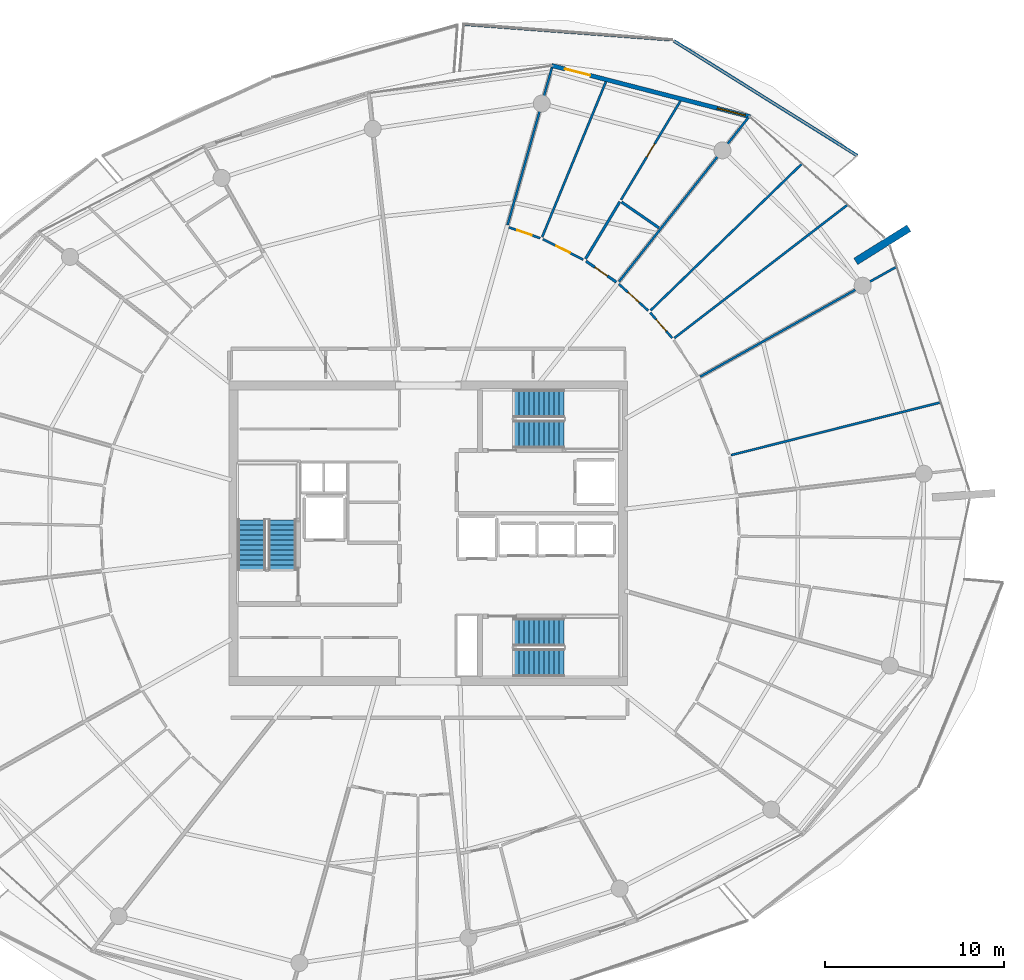
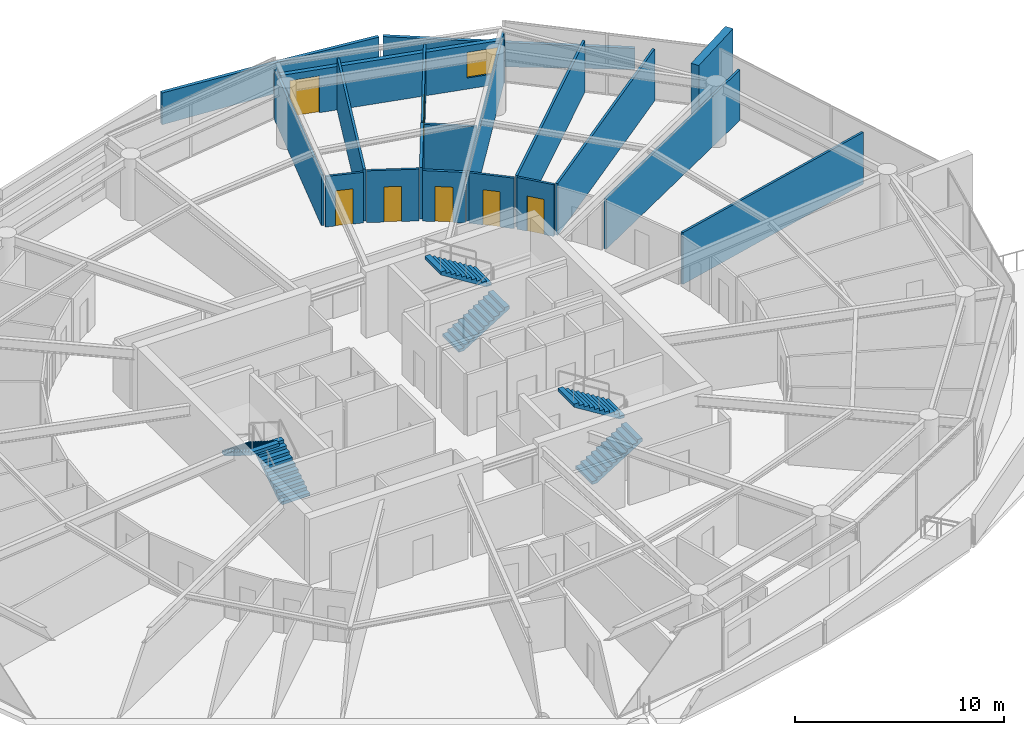
# One storey, part 22 of 29: 19 walls, 7 doors, 6 stair flights, 1 window, 8 openings, 3 elements without a shape of their own.
"""IFC4 building model written with IfcOpenShell, lengths in metres."""

import ifcopenshell
import ifcopenshell.guid

model = None  # the IFC model being written
_history = None  # IfcOwnerHistory: only IFC2X3 demands one
_inside = {}  # id of a spatial element -> (the spatial element, [elements in it])
_under = {}  # id of a project, library or spatial element -> (it, [spatial elements below it])
_declared = {}  # id of a project -> (the project, [libraries it declares])
_typed = {}  # id of a type object -> (the type object, [elements of that type])
_made_of = {}  # id of a material, layer set ... -> (it, [elements and type objects made of it])


def new_model(schema):
    """Start an empty IFC model of exactly this schema.

    Asked for "IFC4X3", IfcOpenShell would pick the latest addendum, in which some entities
    have other attributes; the version numbers below select the first issue.
    IFC2X3 requires an IfcOwnerHistory on every rooted entity: one is made here for all.
    """
    global model, _history
    if schema == "IFC4X3":
        model = ifcopenshell.file(schema_version=(4, 3, 0, 0))
    else:
        model = ifcopenshell.file(schema=schema)
    _inside.clear()
    _under.clear()
    _declared.clear()
    _typed.clear()
    _made_of.clear()
    _history = None
    if model.schema == "IFC2X3":
        org = make("IfcOrganization", Name="unknown")
        user = make(
            "IfcPersonAndOrganization",
            ThePerson=make("IfcPerson", FamilyName="unknown"),
            TheOrganization=org,
        )
        app = make(
            "IfcApplication",
            ApplicationDeveloper=org,
            Version="unknown",
            ApplicationFullName="unknown",
            ApplicationIdentifier="unknown",
        )
        _history = make(
            "IfcOwnerHistory",
            OwningUser=user,
            OwningApplication=app,
            ChangeAction="ADDED",
            CreationDate=0,
        )
    return model


def make(cls, **values):
    """One entity of the class cls with the attributes given. An attribute that is None is left unset."""
    return model.create_entity(
        cls, **{name: value for name, value in values.items() if value is not None}
    )


def rooted(cls, **values):
    """An entity with a GlobalId (a new one), such as an element, a storey or a relation."""
    return make(cls, GlobalId=ifcopenshell.guid.new(), OwnerHistory=_history, **values)


def si_unit(unit_type, name, prefix=None):
    """IfcSIUnit, for example si_unit("LENGTHUNIT", "METRE", prefix="MILLI")."""
    return make("IfcSIUnit", UnitType=unit_type, Prefix=prefix, Name=name)


def assignment(units):
    """IfcUnitAssignment: the units of a project."""
    return None if units is None else make("IfcUnitAssignment", Units=units)


def point(xyz):
    """IfcCartesianPoint."""
    return None if xyz is None else make("IfcCartesianPoint", Coordinates=xyz)


def direction(xyz):
    """IfcDirection."""
    return None if xyz is None else make("IfcDirection", DirectionRatios=xyz)


def frame(location, z_axis=None, x_axis=None):
    """IfcAxis2Placement3D, a coordinate frame: its origin and axes. An axis left out is left unset."""
    return make(
        "IfcAxis2Placement3D",
        Location=point(location),
        Axis=direction(z_axis),
        RefDirection=direction(x_axis),
    )


def frame_2d(location, x_axis=None):
    """IfcAxis2Placement2D, a coordinate frame in the plane: its origin and x axis."""
    return make(
        "IfcAxis2Placement2D", Location=point(location), RefDirection=direction(x_axis)
    )


def origin():
    """The frame at (0, 0, 0) with its axes left unset."""
    return frame((0.0, 0.0, 0.0))


def place(relative_to, where):
    """IfcLocalPlacement: puts the frame where relative to a parent placement (None: the world)."""
    return make(
        "IfcLocalPlacement", PlacementRelTo=relative_to, RelativePlacement=where
    )


def context(
    kind, dimensions, precision=None, world=None, true_north=None, identifier=None
):
    """IfcGeometricRepresentationContext, for example the 3D "Model" context."""
    return make(
        "IfcGeometricRepresentationContext",
        ContextIdentifier=identifier,
        ContextType=kind,
        CoordinateSpaceDimension=dimensions,
        Precision=precision,
        WorldCoordinateSystem=world,
        TrueNorth=true_north,
    )


def subcontext(parent, identifier, kind, view, scale=None):
    """IfcGeometricRepresentationSubContext, for example "Body" below "Model"."""
    return make(
        "IfcGeometricRepresentationSubContext",
        ContextIdentifier=identifier,
        ContextType=kind,
        ParentContext=parent,
        TargetScale=scale,
        TargetView=view,
    )


def project(units=None, contexts=None):
    """IfcProject with its units and contexts."""
    return rooted(
        "IfcProject",
        Name="project",
        RepresentationContexts=contexts,
        UnitsInContext=assignment(units),
    )


def spatial(cls, under=None, at=None, **own):
    """A site, building, storey or space (cls), placed at a placement, below another one or the project."""
    s = rooted(cls, ObjectPlacement=at, **own)
    if under is not None:
        _under.setdefault(under.id(), (under, []))[1].append(s)
    return s


def polyline(points):
    """IfcPolyline through the points."""
    return make("IfcPolyline", Points=[point(p) for p in points])


def profile(cls, at=None, kind="AREA", **sizes):
    """A parametric profile (cls). Its sizes go by their IFC names, for example OverallWidth=200.0."""
    return make(cls, ProfileType=kind, Position=at, **sizes)


def rectangle(**sizes):
    """IfcRectangleProfileDef."""
    return profile("IfcRectangleProfileDef", **sizes)


def outline(outer, holes=None, kind="AREA"):
    """IfcArbitraryClosedProfileDef: a profile drawn as a closed curve; with holes, ...WithVoids."""
    if holes is None:
        return make("IfcArbitraryClosedProfileDef", ProfileType=kind, OuterCurve=outer)
    return make(
        "IfcArbitraryProfileDefWithVoids",
        ProfileType=kind,
        OuterCurve=outer,
        InnerCurves=holes,
    )


def extrude(swept, where, along, depth):
    """IfcExtrudedAreaSolid: the profile swept, set in the frame where, extruded along a direction by depth."""
    return make(
        "IfcExtrudedAreaSolid",
        SweptArea=swept,
        Position=where,
        ExtrudedDirection=direction(along),
        Depth=depth,
    )


def shape(context_of_items, identifier, shape_type, items):
    """IfcShapeRepresentation: the items that make up one representation, for example the "Body"."""
    return make(
        "IfcShapeRepresentation",
        ContextOfItems=context_of_items,
        RepresentationIdentifier=identifier,
        RepresentationType=shape_type,
        Items=items,
    )


def material(Name=None, Category=None):
    """IfcMaterial."""
    return make("IfcMaterial", Name=Name, Category=Category)


def layer(
    of_material, thickness, ventilated=None, Name=None, Category=None, Priority=None
):
    """IfcMaterialLayer: one layer of a wall or slab, of a material (None: an air gap)."""
    return make(
        "IfcMaterialLayer",
        Material=of_material,
        LayerThickness=thickness,
        IsVentilated=ventilated,
        Name=Name,
        Category=Category,
        Priority=Priority,
    )


def layer_set(layers, Name=None):
    """IfcMaterialLayerSet."""
    return make("IfcMaterialLayerSet", MaterialLayers=layers, LayerSetName=Name)


def made_of(thing, what):
    """Note that an element or type object is made of a material, layer set ...; save() writes the relation."""
    if what is not None:
        _made_of.setdefault(what.id(), (what, []))[1].append(thing)
    return thing


def type_object(cls, material=None, **own):
    """A type object (cls), such as IfcWallType, which elements share."""
    return made_of(rooted(cls, **own), material)


def element(
    cls,
    number,
    at=None,
    inside=None,
    cuts=None,
    type_object=None,
    material=None,
    context=None,
    identifier="Body",
    shape_type=None,
    held_by="IfcProductDefinitionShape",
    body=None,
    shapes=None,
    **own,
):
    """One element of the class cls, such as IfcWall. Its Tag is "e" and its number.

    at: its placement. inside: the storey or other place that contains it. cuts: it is an
    opening in that element (IfcRelVoidsElement). A single representation is given by context,
    identifier, shape_type and body (its items); several are given by shapes. held_by: the class
    of the entity that holds the representations. save() writes the other relations.
    """
    e = rooted(cls, Tag="e%d" % number, ObjectPlacement=at, **own)
    if body is not None:
        shapes = [shape(context, identifier, shape_type, body)]
    if shapes is not None:
        e.Representation = make(held_by, Representations=shapes)
    if inside is not None:
        _inside.setdefault(inside.id(), (inside, []))[1].append(e)
    if cuts is not None:
        rooted(
            "IfcRelVoidsElement", RelatingBuildingElement=cuts, RelatedOpeningElement=e
        )
    if type_object is not None:
        _typed.setdefault(type_object.id(), (type_object, []))[1].append(e)
    return made_of(e, material)


def fill(opening, filler):
    """IfcRelFillsElement: the door or window that sits in an opening."""
    return rooted(
        "IfcRelFillsElement",
        RelatingOpeningElement=opening,
        RelatedBuildingElement=filler,
    )


def aggregate(whole, parts):
    """IfcRelAggregates: a whole, such as a stair, and the parts it consists of."""
    return rooted("IfcRelAggregates", RelatingObject=whole, RelatedObjects=parts)


def save(model, path):
    """Write the relations noted so far, then the file.

    IfcRelAggregates (storeys below a building ...), IfcRelContainedInSpatialStructure (elements
    in a storey), IfcRelDefinesByType, IfcRelAssociatesMaterial and IfcRelDeclares: one each for
    every whole, place, type object, material and project.
    """
    for whole, parts in _under.values():
        aggregate(whole, parts)
    for where, things in _inside.values():
        rooted(
            "IfcRelContainedInSpatialStructure",
            RelatedElements=things,
            RelatingStructure=where,
        )
    for kind, things in _typed.values():
        rooted("IfcRelDefinesByType", RelatedObjects=things, RelatingType=kind)
    for what, things in _made_of.values():
        rooted("IfcRelAssociatesMaterial", RelatedObjects=things, RelatingMaterial=what)
    for by, libraries in _declared.values():
        rooted("IfcRelDeclares", RelatingContext=by, RelatedDefinitions=libraries)
    model.write(path)


model = new_model("IFC4")

# Units and contexts
model_context = context("Model", 3, precision=1e-05, world=origin(), true_north=direction((0.0, 1.0)))
body_context = subcontext(model_context, "Body", "Model", "MODEL_VIEW")
ifc_project = project(units=[si_unit("LENGTHUNIT", "METRE"), si_unit("AREAUNIT", "SQUARE_METRE"), si_unit("VOLUMEUNIT", "CUBIC_METRE"), si_unit("PLANEANGLEUNIT", "RADIAN"), si_unit("MASSUNIT", "GRAM", prefix="KILO")], contexts=[model_context])

# Site, building, storey
site_placement = place(None, origin())
site = spatial("IfcSite", under=ifc_project, at=site_placement, CompositionType="ELEMENT")
building_placement = place(site_placement, origin())
building = spatial("IfcBuilding", under=site, at=building_placement, Name="Kazma Halo Residences", CompositionType="ELEMENT")
storey_placement = place(building_placement, frame((0.0, 0.0, 282.89990234375)))
storey = spatial("IfcBuildingStorey", under=building, at=storey_placement, Name="L71", CompositionType="ELEMENT", Elevation=282.89990234375)

# Walls
ifc_material_1 = material(Name="White Concrete C50/60 Balustrade", Category="concrete")
ifc_layer_1 = layer(ifc_material_1, 0.179931640625)
ifc_layer_set_1 = layer_set([ifc_layer_1], Name="White Concrete C50/60 Balustrade")
wall_type_1 = type_object("IfcWallType", Name="WL-BAL-WAVE-180", PredefinedType="PARAPET", material=ifc_layer_set_1)
wall_1_placement = place(storey_placement, frame((72.371337890625, 63.073974609375, 0.0), z_axis=(0.0, 0.0, 1.0), x_axis=(-0.847743764475, 0.53040598582, 0.0)))
element("IfcWall", 1, at=wall_1_placement, inside=storey, type_object=wall_type_1, Name="L71 white wave balustrade wall NE.1", PredefinedType="PARAPET", context=body_context, shape_type="SweptSolid", body=[
    extrude(outline(polyline([(0.0, 0.0), (12.07470703125, 0.0), (12.07470703125, 1.632080078125), (6.037353515625, 1.418212890625), (0.0, 1.233154296875), (0.0, 0.0)])), frame((0.0, 0.08984375, 0.0), z_axis=(0.0, -1.0, 0.0), x_axis=(1.0, 0.0, 0.0)), (0.0, 0.0, 1.0), 0.179931640625),
])
wall_2_placement = place(storey_placement, frame((61.913818359375, 69.551025390625, 0.0), z_axis=(0.0, 0.0, 1.0), x_axis=(-0.997192518369, 0.074880446769, 0.0)))
element("IfcWall", 2, at=wall_2_placement, inside=storey, type_object=wall_type_1, Name="L71 white wave balustrade wall NE.2", PredefinedType="PARAPET", context=body_context, shape_type="SweptSolid", body=[
    extrude(outline(polyline([(0.0, 0.0), (11.535400390625, 0.0), (11.53515625, 1.860107421875), (5.767578125, 1.798095703125), (0.0, 1.632080078125), (0.0, 0.0)])), frame((0.0, 0.08984375, 0.0), z_axis=(0.0, -1.0, 0.0), x_axis=(1.0, 0.0, 0.0)), (0.0, 0.0, 1.0), 0.179931640625),
])
ifc_material_2 = material(Name="Pale Concrete C60/75", Category="concrete")
ifc_layer_2 = layer(ifc_material_2, 0.419921875)
ifc_layer_set_2 = layer_set([ifc_layer_2], Name="Pale Concrete C60/75")
wall_type_2 = type_object("IfcWallType", Name="WL-BLADE-420", PredefinedType="SOLIDWALL", material=ifc_layer_set_2)
wall_3_placement = place(storey_placement, frame((72.281494140625, 57.172607421875, 0.0), z_axis=(0.0, 0.0, 1.0), x_axis=(0.848033572426, 0.529942506352, 0.0)))
element("IfcWall", 3, at=wall_3_placement, inside=storey, type_object=wall_type_2, Name="L71 pale concrete structural blade fin wall BW-01", PredefinedType="SOLIDWALL", context=body_context, shape_type="SweptSolid", body=[
    extrude(rectangle(XDim=3.5, YDim=0.419921875, at=frame_2d((1.75, 0.0))), origin(), (0.0, 0.0, 1.0), 3.85009765625),
])

# Wall, openings, door, window
ifc_material_3 = material(Name="Insulated Pale-Metal Composite Wall")
ifc_layer_3 = layer(ifc_material_3, 0.239990234375)
ifc_layer_set_3 = layer_set([ifc_layer_3], Name="Insulated Pale-Metal Composite Wall")
wall_type_3 = type_object("IfcWallType", Name="WL-EXT-HOST-240", PredefinedType="SOLIDWALL", material=ifc_layer_set_3)
wall_4_placement = place(storey_placement, frame((66.386474609375, 65.2490234375, 0.0), z_axis=(0.0, 0.0, 1.0), x_axis=(-0.968343758421, 0.249620442927, 0.0)))
wall_4 = element("IfcWall", 4, at=wall_4_placement, inside=storey, type_object=wall_type_3, Name="L71 exterior terrace-access wall B02", PredefinedType="SOLIDWALL", context=body_context, shape_type="SweptSolid", body=[
    extrude(rectangle(XDim=11.438232421875, YDim=0.239990234375, at=frame_2d((5.71923828125, 0.0))), origin(), (0.0, 0.0, 1.0), 2.5400390625),
])
opening_1_placement = place(wall_4_placement, frame((9.21826171875, 0.0, 0.0)))
opening_1 = element("IfcOpeningElement", 5, at=opening_1_placement, cuts=wall_4, Name="Opening DTR-1600", PredefinedType="OPENING", context=body_context, shape_type="SweptSolid", body=[
    extrude(rectangle(XDim=1.449951171875, YDim=2.14990234375, at=frame_2d((0.72509765625, 1.074951171875))), frame((0.0, 0.1298828125, 0.0), z_axis=(0.0, -1.0, 0.0), x_axis=(1.0, 0.0, 0.0)), (0.0, 0.0, 1.0), 0.260009765625),
])
opening_2_placement = place(wall_4_placement, frame((0.280029296875, 0.0, 0.64990234375)))
opening_2 = element("IfcOpeningElement", 6, at=opening_2_placement, cuts=wall_4, Name="Opening W-1800", PredefinedType="OPENING", context=body_context, shape_type="SweptSolid", body=[
    extrude(rectangle(XDim=1.60009765625, YDim=1.5, at=frame_2d((0.800048828125, 0.75))), frame((0.0, 0.1298828125, 0.0), z_axis=(0.0, -1.0, 0.0), x_axis=(1.0, 0.0, 0.0)), (0.0, 0.0, 1.0), 0.260009765625),
])
ifc_material_4 = material(Name="Aluminium AW-6063 T6 Double-Glazed Terrace Door", Category="aluminium")
door_type_1 = type_object("IfcDoorType", Name="DR-EXT-TERR-1600", OperationType="NOTDEFINED", PredefinedType="DOOR", material=ifc_material_4)
door_1_placement = place(opening_1_placement, origin())
door_1 = element("IfcDoor", 7, at=door_1_placement, inside=storey, type_object=door_type_1, Name="L71 B02 balcony terrace door", OperationType="DOUBLE_DOOR_SLIDING", OverallHeight=2.14990234375, OverallWidth=1.449951171875, PredefinedType="DOOR", context=body_context, shape_type="SweptSolid", body=[
    extrude(rectangle(XDim=1.449951171875, YDim=2.14990234375, at=frame_2d((0.72509765625, 1.074951171875))), frame((0.0, 0.02490234375, 0.0), z_axis=(0.0, -1.0, 0.0), x_axis=(1.0, 0.0, 0.0)), (0.0, 0.0, 1.0), 0.050048828125),
])
fill(opening_1, door_1)
ifc_material_5 = material(Name="Clear Triple-Silver Low-E Glass in Aluminium AW-6063 T6 Frame", Category="aluminium")
window_type = type_object("IfcWindowType", Name="WIN-RES-1800", PartitioningType="DOUBLE_PANEL_VERTICAL", PredefinedType="WINDOW", material=ifc_material_5)
window_placement = place(opening_2_placement, origin())
window = element("IfcWindow", 8, at=window_placement, inside=storey, type_object=window_type, Name="L71 B02 apartment window", OverallHeight=1.5, OverallWidth=1.60009765625, PartitioningType="SINGLE_PANEL", PredefinedType="WINDOW", context=body_context, shape_type="SweptSolid", body=[
    extrude(rectangle(XDim=1.60009765625, YDim=1.5, at=frame_2d((0.800048828125, 0.75))), frame((0.0, 0.030029296875, 0.0), z_axis=(0.0, -1.0, 0.0), x_axis=(1.0, 0.0, 0.0)), (0.0, 0.0, 1.0), 0.06005859375),
])
fill(opening_2, window)

# Walls
ifc_material_6 = material(Name="Gypsum Plasterboard Partition")
ifc_layer_4 = layer(ifc_material_6, 0.125)
ifc_layer_set_4 = layer_set([ifc_layer_4], Name="Gypsum Plasterboard Partition")
wall_type_4 = type_object("IfcWallType", Name="WL-PART-125", PredefinedType="PARTITIONING", material=ifc_layer_set_4)
wall_5_placement = place(storey_placement, frame((65.325439453125, 46.361572265625, 0.0), z_axis=(0.0, 0.0, 1.0), x_axis=(0.969744227159, 0.244123194089, 0.0)))
element("IfcWall", 9, at=wall_5_placement, inside=storey, type_object=wall_type_4, Name="L71 Apartment 4 mid-bay wall 15", PredefinedType="PARTITIONING", context=body_context, shape_type="SweptSolid", body=[
    extrude(rectangle(XDim=12.046875, YDim=0.125, at=frame_2d((6.0234375, 0.0))), origin(), (0.0, 0.0, 1.0), 3.030029296875),
])
wall_6_placement = place(storey_placement, frame((63.5966796875, 50.734619140625, 0.0), z_axis=(0.0, 0.0, 1.0), x_axis=(0.872496398583, 0.488620542404, 0.0)))
element("IfcWall", 10, at=wall_6_placement, inside=storey, type_object=wall_type_4, Name="L71 Apartment 4 radial partition 0", PredefinedType="PARTITIONING", context=body_context, shape_type="SweptSolid", body=[
    extrude(rectangle(XDim=12.5537109375, YDim=0.125, at=frame_2d((6.27685546875, 0.0))), origin(), (0.0, 0.0, 1.0), 2.95703125),
])
wall_7_placement = place(storey_placement, frame((62.159912109375, 52.894775390625, 0.0), z_axis=(0.0, 0.0, 1.0), x_axis=(0.792562115574, 0.609791187996, 0.0)))
element("IfcWall", 11, at=wall_7_placement, inside=storey, type_object=wall_type_4, Name="L71 Apartment 4 bay wall 1 0", PredefinedType="PARTITIONING", context=body_context, shape_type="SweptSolid", body=[
    extrude(rectangle(XDim=12.175537109375, YDim=0.125, at=frame_2d((6.087890625, 0.0))), origin(), (0.0, 0.0, 1.0), 3.030029296875),
])
wall_8_placement = place(storey_placement, frame((60.830078125, 54.43310546875, 0.0), z_axis=(0.0, 0.0, 1.0), x_axis=(0.718122665634, 0.69591654464, 0.0)))
element("IfcWall", 12, at=wall_8_placement, inside=storey, type_object=wall_type_4, Name="L71 Apartment 4 bay wall 2 0", PredefinedType="PARTITIONING", context=body_context, shape_type="SweptSolid", body=[
    extrude(rectangle(XDim=11.741943359375, YDim=0.125, at=frame_2d((5.87109375, 0.0))), origin(), (0.0, 0.0, 1.0), 3.030029296875),
])

# Wall, opening, door
wall_9_placement = place(storey_placement, frame((62.0361328125, 52.900390625, 0.0), z_axis=(0.0, 0.0, 1.0), x_axis=(-0.653947294886, 0.756540108329, 0.0)))
wall_9 = element("IfcWall", 13, at=wall_9_placement, inside=storey, type_object=wall_type_4, Name="L71 Apartment 4 West Dressing Wardrobe hall wall", PredefinedType="PARTITIONING", context=body_context, shape_type="SweptSolid", body=[
    extrude(rectangle(XDim=1.86328125, YDim=0.125, at=frame_2d((0.931640625, 0.0))), origin(), (0.0, 0.0, 1.0), 3.030029296875),
])
opening_3_placement = place(wall_9_placement, frame((0.506591796875, 0.0, 0.0)))
opening_3 = element("IfcOpeningElement", 14, at=opening_3_placement, cuts=wall_9, Name="Opening DB-900", PredefinedType="OPENING", context=body_context, shape_type="SweptSolid", body=[
    extrude(rectangle(XDim=0.85009765625, YDim=2.06005859375, at=frame_2d((0.425048828125, 1.030029296875))), frame((0.0, 0.072509765625, 0.0), z_axis=(0.0, -1.0, 0.0), x_axis=(1.0, 0.0, 0.0)), (0.0, 0.0, 1.0), 0.14501953125),
])
ifc_material_7 = material(Name="Moisture-Sealed Timber Leaf", Category="wood")
door_type_2 = type_object("IfcDoorType", Name="DR-BTH-900", OperationType="NOTDEFINED", PredefinedType="DOOR", material=ifc_material_7)
door_2_placement = place(opening_3_placement, origin())
door_2 = element("IfcDoor", 15, at=door_2_placement, inside=storey, type_object=door_type_2, Name="L71 Apartment 4 West Dressing Wardrobe door", OperationType="SINGLE_SWING_RIGHT", OverallHeight=2.06005859375, OverallWidth=0.85009765625, PredefinedType="DOOR", context=body_context, shape_type="SweptSolid", body=[
    extrude(rectangle(XDim=0.85009765625, YDim=2.06005859375, at=frame_2d((0.425048828125, 1.030029296875))), frame((0.0, 0.02490234375, 0.0), z_axis=(0.0, -1.0, 0.0), x_axis=(1.0, 0.0, 0.0)), (0.0, 0.0, 1.0), 0.050048828125),
])
fill(opening_3, door_2)

wall_10_placement = place(storey_placement, frame((60.7060546875, 54.424072265625, 0.0), z_axis=(0.0, 0.0, 1.0), x_axis=(-0.742228386295, 0.670147015645, 0.0)))
wall_10 = element("IfcWall", 16, at=wall_10_placement, inside=storey, type_object=wall_type_4, Name="L71 Apartment 4 North Master Bedroom hall wall", PredefinedType="PARTITIONING", context=body_context, shape_type="SweptSolid", body=[
    extrude(rectangle(XDim=2.211669921875, YDim=0.125, at=frame_2d((1.10595703125, 0.0))), origin(), (0.0, 0.0, 1.0), 2.95703125),
])
opening_4_placement = place(wall_10_placement, frame((0.680908203125, 0.0, 0.0)))
opening_4 = element("IfcOpeningElement", 17, at=opening_4_placement, cuts=wall_10, Name="Opening DB-900", PredefinedType="OPENING", context=body_context, shape_type="SweptSolid", body=[
    extrude(rectangle(XDim=0.85009765625, YDim=2.06005859375, at=frame_2d((0.425048828125, 1.030029296875))), frame((0.0, 0.072509765625, 0.0), z_axis=(0.0, -1.0, 0.0), x_axis=(1.0, 0.0, 0.0)), (0.0, 0.0, 1.0), 0.14501953125),
])
door_3_placement = place(opening_4_placement, origin())
door_3 = element("IfcDoor", 18, at=door_3_placement, inside=storey, type_object=door_type_2, Name="L71 Apartment 4 North Master Bedroom door", OperationType="SINGLE_SWING_LEFT", OverallHeight=2.06005859375, OverallWidth=0.85009765625, PredefinedType="DOOR", context=body_context, shape_type="SweptSolid", body=[
    extrude(rectangle(XDim=0.85009765625, YDim=2.06005859375, at=frame_2d((0.425048828125, 1.030029296875))), frame((0.0, 0.02490234375, 0.0), z_axis=(0.0, -1.0, 0.0), x_axis=(1.0, 0.0, 0.0)), (0.0, 0.0, 1.0), 0.050048828125),
])
fill(opening_4, door_3)

# Walls
wall_11_placement = place(storey_placement, frame((59.06689453125, 56.038330078125, 0.0), z_axis=(0.0, 0.0, 1.0), x_axis=(0.619097714732, 0.785313962447, 0.0)))
element("IfcWall", 19, at=wall_11_placement, inside=storey, type_object=wall_type_4, Name="L71 Apartment 4 radial partition 1", PredefinedType="PARTITIONING", context=body_context, shape_type="SweptSolid", body=[
    extrude(rectangle(XDim=11.7197265625, YDim=0.125, at=frame_2d((5.85986328125, 0.0))), origin(), (0.0, 0.0, 1.0), 2.95703125),
])
wall_12_placement = place(storey_placement, frame((52.852294921875, 59.204833984375, 0.0), z_axis=(0.0, 0.0, 1.0), x_axis=(0.271437883207, 0.962455960322, 0.0)))
element("IfcWall", 20, at=wall_12_placement, inside=storey, type_object=wall_type_4, Name="L71 Apartment 4 living radial partition 1", PredefinedType="PARTITIONING", context=body_context, shape_type="SweptSolid", body=[
    extrude(rectangle(XDim=9.108642578125, YDim=0.125, at=frame_2d((4.55419921875, 0.0))), origin(), (0.0, 0.0, 1.0), 2.95703125),
])

# Wall, opening, door
wall_13_placement = place(storey_placement, frame((59.186279296875, 60.61328125, 0.0), z_axis=(0.0, 0.0, 1.0), x_axis=(0.515109537537, 0.857124357569, 0.0)))
wall_13 = element("IfcWall", 21, at=wall_13_placement, inside=storey, type_object=wall_type_4, Name="L71 Apartment 4 Inner Walk-In Wardrobe partition wall", PredefinedType="PARTITIONING", context=body_context, shape_type="SweptSolid", body=[
    extrude(rectangle(XDim=6.43310546875, YDim=0.125, at=frame_2d((3.216552734375, 0.0))), origin(), (0.0, 0.0, 1.0), 3.030029296875),
])
opening_5_placement = place(wall_13_placement, frame((2.79150390625, 0.0, 0.0)))
opening_5 = element("IfcOpeningElement", 22, at=opening_5_placement, cuts=wall_13, Name="Opening DB-900", PredefinedType="OPENING", context=body_context, shape_type="SweptSolid", body=[
    extrude(rectangle(XDim=0.85009765625, YDim=2.06005859375, at=frame_2d((0.425048828125, 1.030029296875))), frame((0.0, 0.072509765625, 0.0), z_axis=(0.0, -1.0, 0.0), x_axis=(1.0, 0.0, 0.0)), (0.0, 0.0, 1.0), 0.14501953125),
])
door_4_placement = place(opening_5_placement, origin())
door_4 = element("IfcDoor", 23, at=door_4_placement, inside=storey, type_object=door_type_2, Name="L71 Apartment 4 Inner Walk-In Wardrobe door", OperationType="SINGLE_SWING_RIGHT", OverallHeight=2.06005859375, OverallWidth=0.85009765625, PredefinedType="DOOR", context=body_context, shape_type="SweptSolid", body=[
    extrude(rectangle(XDim=0.85009765625, YDim=2.06005859375, at=frame_2d((0.425048828125, 1.030029296875))), frame((0.0, 0.02490234375, 0.0), z_axis=(0.0, -1.0, 0.0), x_axis=(1.0, 0.0, 0.0)), (0.0, 0.0, 1.0), 0.050048828125),
])
fill(opening_5, door_4)

# Wall
wall_14_placement = place(storey_placement, frame((54.7822265625, 58.52880859375, 0.0), z_axis=(0.0, 0.0, 1.0), x_axis=(0.379598680501, 0.925151253451, 0.0)))
element("IfcWall", 24, at=wall_14_placement, inside=storey, type_object=wall_type_4, Name="L71 Apartment 4 suite divider 1", PredefinedType="PARTITIONING", context=body_context, shape_type="SweptSolid", body=[
    extrude(rectangle(XDim=9.3681640625, YDim=0.125, at=frame_2d((4.68408203125, 0.0))), origin(), (0.0, 0.0, 1.0), 3.030029296875),
])

# Wall, opening, door
wall_15_placement = place(storey_placement, frame((57.076171875, 57.276611328125, 0.0), z_axis=(0.0, 0.0, 1.0), x_axis=(-0.893710536338, 0.448644042909, 0.0)))
wall_15 = element("IfcWall", 25, at=wall_15_placement, inside=storey, type_object=wall_type_4, Name="L71 Apartment 4 Outer Formal Dining Room hall wall", PredefinedType="PARTITIONING", context=body_context, shape_type="SweptSolid", body=[
    extrude(rectangle(XDim=2.52490234375, YDim=0.125, at=frame_2d((1.262451171875, 0.0))), origin(), (0.0, 0.0, 1.0), 3.030029296875),
])
opening_6_placement = place(wall_15_placement, frame((0.837646484375, 0.0, 0.0)))
opening_6 = element("IfcOpeningElement", 26, at=opening_6_placement, cuts=wall_15, Name="Opening DB-900", PredefinedType="OPENING", context=body_context, shape_type="SweptSolid", body=[
    extrude(rectangle(XDim=0.85009765625, YDim=2.06005859375, at=frame_2d((0.425048828125, 1.030029296875))), frame((0.0, 0.072509765625, 0.0), z_axis=(0.0, -1.0, 0.0), x_axis=(1.0, 0.0, 0.0)), (0.0, 0.0, 1.0), 0.14501953125),
])
door_5_placement = place(opening_6_placement, origin())
door_5 = element("IfcDoor", 27, at=door_5_placement, inside=storey, type_object=door_type_2, Name="L71 Apartment 4 Outer Formal Dining Room door", OperationType="SINGLE_SWING_LEFT", OverallHeight=2.06005859375, OverallWidth=0.85009765625, PredefinedType="DOOR", context=body_context, shape_type="SweptSolid", body=[
    extrude(rectangle(XDim=0.85009765625, YDim=2.06005859375, at=frame_2d((0.425048828125, 1.030029296875))), frame((0.0, 0.02490234375, 0.0), z_axis=(0.0, -1.0, 0.0), x_axis=(1.0, 0.0, 0.0)), (0.0, 0.0, 1.0), 0.050048828125),
])
fill(opening_6, door_5)

wall_16_placement = place(storey_placement, frame((54.67236328125, 58.471435546875, 0.0), z_axis=(0.0, 0.0, 1.0), x_axis=(-0.945353388376, 0.326047498206, 0.0)))
wall_16 = element("IfcWall", 28, at=wall_16_placement, inside=storey, type_object=wall_type_4, Name="L71 Apartment 4 Corner Master Bedroom hall wall", PredefinedType="PARTITIONING", context=body_context, shape_type="SweptSolid", body=[
    extrude(rectangle(XDim=1.85400390625, YDim=0.125, at=frame_2d((0.927001953125, 0.0))), origin(), (0.0, 0.0, 1.0), 2.95703125),
])
opening_7_placement = place(wall_16_placement, frame((0.502197265625, 0.0, 0.0)))
opening_7 = element("IfcOpeningElement", 29, at=opening_7_placement, cuts=wall_16, Name="Opening DB-900", PredefinedType="OPENING", context=body_context, shape_type="SweptSolid", body=[
    extrude(rectangle(XDim=0.85009765625, YDim=2.06005859375, at=frame_2d((0.425048828125, 1.030029296875))), frame((0.0, 0.072509765625, 0.0), z_axis=(0.0, -1.0, 0.0), x_axis=(1.0, 0.0, 0.0)), (0.0, 0.0, 1.0), 0.14501953125),
])
door_6_placement = place(opening_7_placement, origin())
door_6 = element("IfcDoor", 30, at=door_6_placement, inside=storey, type_object=door_type_2, Name="L71 Apartment 4 Corner Master Bedroom door", OperationType="SINGLE_SWING_RIGHT", OverallHeight=2.06005859375, OverallWidth=0.85009765625, PredefinedType="DOOR", context=body_context, shape_type="SweptSolid", body=[
    extrude(rectangle(XDim=0.85009765625, YDim=2.06005859375, at=frame_2d((0.425048828125, 1.030029296875))), frame((0.0, 0.02490234375, 0.0), z_axis=(0.0, -1.0, 0.0), x_axis=(1.0, 0.0, 0.0)), (0.0, 0.0, 1.0), 0.050048828125),
])
fill(opening_7, door_6)

ifc_material_8 = material(Name="Moisture-Resistant Gypsum")
ifc_layer_5 = layer(ifc_material_8, 0.14990234375)
ifc_layer_set_5 = layer_set([ifc_layer_5], Name="Moisture-Resistant Gypsum")
wall_type_5 = type_object("IfcWallType", Name="WL-WET-150", PredefinedType="PARTITIONING", material=ifc_layer_set_5)
wall_17_placement = place(storey_placement, frame((58.922607421875, 56.0166015625, 0.0), z_axis=(0.0, 0.0, 1.0), x_axis=(-0.822841380127, 0.568271117646, 0.0)))
wall_17 = element("IfcWall", 31, at=wall_17_placement, inside=storey, type_object=wall_type_5, Name="L71 Apartment 4 South En-Suite Bathroom hall wall", PredefinedType="PARTITIONING", context=body_context, shape_type="SweptSolid", body=[
    extrude(rectangle(XDim=2.05615234375, YDim=0.14990234375, at=frame_2d((1.028076171875, 0.0))), origin(), (0.0, 0.0, 1.0), 2.95703125),
])
opening_8_placement = place(wall_17_placement, frame((0.60302734375, 0.0, 0.0)))
opening_8 = element("IfcOpeningElement", 32, at=opening_8_placement, cuts=wall_17, Name="Opening DB-900", PredefinedType="OPENING", context=body_context, shape_type="SweptSolid", body=[
    extrude(rectangle(XDim=0.85009765625, YDim=2.06005859375, at=frame_2d((0.425048828125, 1.030029296875))), frame((0.0, 0.0849609375, 0.0), z_axis=(0.0, -1.0, 0.0), x_axis=(1.0, 0.0, 0.0)), (0.0, 0.0, 1.0), 0.169921875),
])
door_7_placement = place(opening_8_placement, origin())
door_7 = element("IfcDoor", 33, at=door_7_placement, inside=storey, type_object=door_type_2, Name="L71 Apartment 4 South En-Suite Bathroom door", OperationType="SINGLE_SWING_LEFT", OverallHeight=2.06005859375, OverallWidth=0.85009765625, PredefinedType="DOOR", context=body_context, shape_type="SweptSolid", body=[
    extrude(rectangle(XDim=0.85009765625, YDim=2.06005859375, at=frame_2d((0.425048828125, 1.030029296875))), frame((0.0, 0.02490234375, 0.0), z_axis=(0.0, -1.0, 0.0), x_axis=(1.0, 0.0, 0.0)), (0.0, 0.0, 1.0), 0.050048828125),
])
fill(opening_8, door_7)

# Walls
wall_18_placement = place(storey_placement, frame((61.30615234375, 59.0400390625, 0.0), z_axis=(0.0, 0.0, 1.0), x_axis=(-0.822824212112, 0.56829597567, 0.0)))
element("IfcWall", 34, at=wall_18_placement, inside=storey, type_object=wall_type_5, Name="L71 Apartment 4 South En-Suite Bathroom back wall", PredefinedType="PARTITIONING", context=body_context, shape_type="SweptSolid", body=[
    extrude(rectangle(XDim=2.542724609375, YDim=0.14990234375, at=frame_2d((1.271484375, 0.0))), origin(), (0.0, 0.0, 1.0), 2.95703125),
])
wall_19_placement = place(storey_placement, frame((57.202880859375, 57.313232421875, 0.0), z_axis=(0.0, 0.0, 1.0), x_axis=(0.515122954907, 0.857116293934, 0.0)))
element("IfcWall", 35, at=wall_19_placement, inside=storey, type_object=wall_type_5, Name="L71 Apartment 4 South En-Suite Bathroom side wall", PredefinedType="PARTITIONING", context=body_context, shape_type="SweptSolid", body=[
    extrude(rectangle(XDim=3.719970703125, YDim=0.14990234375, at=frame_2d((1.85986328125, 0.0))), origin(), (0.0, 0.0, 1.0), 3.030029296875),
])

# Stair, stair flights
ifc_material_9 = material(Name="Concrete C50/60", Category="concrete")
stair_type = type_object("IfcStairType", Name="STR-RES2", PredefinedType="HALF_TURN_STAIR", material=ifc_material_9)
stair_1_placement = place(storey_placement, origin())
stair_1 = element("IfcStair", 36, at=stair_1_placement, inside=storey, type_object=stair_type, Name="L71 Core exit stair ST-01", PredefinedType="HALF_TURN_STAIR")
stair_flight_type = type_object("IfcStairFlightType", Name="STR-RES2-FLT", PredefinedType="STRAIGHT", material=ifc_material_9)
stair_flight_1_placement = place(storey_placement, frame((40.27490234375, 39.949951171875, 0.0), z_axis=(0.0, 0.0, 1.0), x_axis=(0.0, 1.0, 0.0)))
stair_flight_1 = element("IfcStairFlight", 37, at=stair_flight_1_placement, type_object=stair_flight_type, Name="ST-01 flight 1", NumberOfRisers=11, NumberOfTreads=10, PredefinedType="STRAIGHT", RiserHeight=0.175, TreadLength=0.28, context=body_context, shape_type="SweptSolid", body=[
    extrude(outline(polyline([(0.0, 0.0), (0.0, 0.175048828125), (0.280029296875, 0.175048828125), (0.280029296875, 0.35009765625), (0.56005859375, 0.35009765625), (0.56005859375, 0.52490234375), (0.840087890625, 0.52490234375), (0.840087890625, 0.699951171875), (1.1201171875, 0.699951171875), (1.1201171875, 0.875), (1.39990234375, 0.875), (1.39990234375, 1.050048828125), (1.679931640625, 1.050048828125), (1.679931640625, 1.22509765625), (1.9599609375, 1.22509765625), (1.9599609375, 1.39990234375), (2.239990234375, 1.39990234375), (2.239990234375, 1.574951171875), (2.52001953125, 1.574951171875), (2.52001953125, 1.75), (2.800048828125, 1.75), (2.800048828125, 1.925048828125), (2.800048828125, 1.5732421875), (0.28271484375, 0.0), (0.0, 0.0)])), frame((0.0, 0.77490234375, 0.0), z_axis=(0.0, -1.0, 0.0), x_axis=(1.0, 0.0, 0.0)), (0.0, 0.0, 1.0), 1.550048828125),
])
stair_flight_2_placement = place(storey_placement, frame((38.574951171875, 42.75, 1.925048828125), z_axis=(0.0, 0.0, 1.0), x_axis=(0.0, -1.0, 0.0)))
stair_flight_2 = element("IfcStairFlight", 38, at=stair_flight_2_placement, type_object=stair_flight_type, Name="ST-01 flight 2", NumberOfRisers=11, NumberOfTreads=10, PredefinedType="STRAIGHT", RiserHeight=0.175, TreadLength=0.28, context=body_context, shape_type="SweptSolid", body=[
    extrude(outline(polyline([(0.0, 0.0), (0.0, 0.175048828125), (0.280029296875, 0.175048828125), (0.280029296875, 0.35009765625), (0.56005859375, 0.35009765625), (0.56005859375, 0.52490234375), (0.840087890625, 0.52490234375), (0.840087890625, 0.699951171875), (1.1201171875, 0.699951171875), (1.1201171875, 0.875), (1.39990234375, 0.875), (1.39990234375, 1.050048828125), (1.679931640625, 1.050048828125), (1.679931640625, 1.22509765625), (1.9599609375, 1.22509765625), (1.9599609375, 1.39990234375), (2.239990234375, 1.39990234375), (2.239990234375, 1.574951171875), (2.52001953125, 1.574951171875), (2.52001953125, 1.75), (2.800048828125, 1.75), (2.800048828125, 1.925048828125), (2.800048828125, 1.5732421875), (0.28271484375, 0.0), (0.0, 0.0)])), frame((0.0, 0.77490234375, 0.0), z_axis=(0.0, -1.0, 0.0), x_axis=(1.0, 0.0, 0.0)), (0.0, 0.0, 1.0), 1.550048828125),
])
aggregate(stair_1, [stair_flight_1, stair_flight_2])

stair_2_placement = place(storey_placement, origin())
stair_2 = element("IfcStair", 39, at=stair_2_placement, inside=storey, type_object=stair_type, Name="L71 Core exit stair ST-02", PredefinedType="HALF_TURN_STAIR")
stair_flight_3_placement = place(storey_placement, frame((53.199951171875, 47.52490234375, 0.0), z_axis=(0.0, 0.0, 1.0), x_axis=(1.0, 0.0, 0.0)))
stair_flight_3 = element("IfcStairFlight", 40, at=stair_flight_3_placement, type_object=stair_flight_type, Name="ST-02 flight 1", NumberOfRisers=11, NumberOfTreads=10, PredefinedType="STRAIGHT", RiserHeight=0.175, TreadLength=0.28, context=body_context, shape_type="SweptSolid", body=[
    extrude(outline(polyline([(0.0, 0.0), (0.0, 0.175048828125), (0.280029296875, 0.175048828125), (0.280029296875, 0.35009765625), (0.56005859375, 0.35009765625), (0.56005859375, 0.52490234375), (0.840087890625, 0.52490234375), (0.840087890625, 0.699951171875), (1.1201171875, 0.699951171875), (1.1201171875, 0.875), (1.39990234375, 0.875), (1.39990234375, 1.050048828125), (1.679931640625, 1.050048828125), (1.679931640625, 1.22509765625), (1.9599609375, 1.22509765625), (1.9599609375, 1.39990234375), (2.239990234375, 1.39990234375), (2.239990234375, 1.574951171875), (2.52001953125, 1.574951171875), (2.52001953125, 1.75), (2.800048828125, 1.75), (2.800048828125, 1.925048828125), (2.800048828125, 1.5732421875), (0.28271484375, 0.0), (0.0, 0.0)])), frame((0.0, 0.77490234375, 0.0), z_axis=(0.0, -1.0, 0.0), x_axis=(1.0, 0.0, 0.0)), (0.0, 0.0, 1.0), 1.550048828125),
])
stair_flight_4_placement = place(storey_placement, frame((56.0, 49.22509765625, 1.925048828125), z_axis=(0.0, 0.0, 1.0), x_axis=(-1.0, 0.0, 0.0)))
stair_flight_4 = element("IfcStairFlight", 41, at=stair_flight_4_placement, type_object=stair_flight_type, Name="ST-02 flight 2", NumberOfRisers=11, NumberOfTreads=10, PredefinedType="STRAIGHT", RiserHeight=0.175, TreadLength=0.28, context=body_context, shape_type="SweptSolid", body=[
    extrude(outline(polyline([(0.0, 0.0), (0.0, 0.175048828125), (0.280029296875, 0.175048828125), (0.280029296875, 0.35009765625), (0.56005859375, 0.35009765625), (0.56005859375, 0.52490234375), (0.840087890625, 0.52490234375), (0.840087890625, 0.699951171875), (1.1201171875, 0.699951171875), (1.1201171875, 0.875), (1.39990234375, 0.875), (1.39990234375, 1.050048828125), (1.679931640625, 1.050048828125), (1.679931640625, 1.22509765625), (1.9599609375, 1.22509765625), (1.9599609375, 1.39990234375), (2.239990234375, 1.39990234375), (2.239990234375, 1.574951171875), (2.52001953125, 1.574951171875), (2.52001953125, 1.75), (2.800048828125, 1.75), (2.800048828125, 1.925048828125), (2.800048828125, 1.5732421875), (0.28271484375, 0.0), (0.0, 0.0)])), frame((0.0, 0.77490234375, 0.0), z_axis=(0.0, -1.0, 0.0), x_axis=(1.0, 0.0, 0.0)), (0.0, 0.0, 1.0), 1.550048828125),
])
aggregate(stair_2, [stair_flight_3, stair_flight_4])

stair_3_placement = place(storey_placement, origin())
stair_3 = element("IfcStair", 42, at=stair_3_placement, inside=storey, type_object=stair_type, Name="L71 Core exit stair ST-03", PredefinedType="HALF_TURN_STAIR")
stair_flight_5_placement = place(storey_placement, frame((53.199951171875, 34.77490234375, 0.0), z_axis=(0.0, 0.0, 1.0), x_axis=(1.0, 0.0, 0.0)))
stair_flight_5 = element("IfcStairFlight", 43, at=stair_flight_5_placement, type_object=stair_flight_type, Name="ST-03 flight 1", NumberOfRisers=11, NumberOfTreads=10, PredefinedType="STRAIGHT", RiserHeight=0.175, TreadLength=0.28, context=body_context, shape_type="SweptSolid", body=[
    extrude(outline(polyline([(0.0, 0.0), (0.0, 0.175048828125), (0.280029296875, 0.175048828125), (0.280029296875, 0.35009765625), (0.56005859375, 0.35009765625), (0.56005859375, 0.52490234375), (0.840087890625, 0.52490234375), (0.840087890625, 0.699951171875), (1.1201171875, 0.699951171875), (1.1201171875, 0.875), (1.39990234375, 0.875), (1.39990234375, 1.050048828125), (1.679931640625, 1.050048828125), (1.679931640625, 1.22509765625), (1.9599609375, 1.22509765625), (1.9599609375, 1.39990234375), (2.239990234375, 1.39990234375), (2.239990234375, 1.574951171875), (2.52001953125, 1.574951171875), (2.52001953125, 1.75), (2.800048828125, 1.75), (2.800048828125, 1.925048828125), (2.800048828125, 1.5732421875), (0.28271484375, 0.0), (0.0, 0.0)])), frame((0.0, 0.77490234375, 0.0), z_axis=(0.0, -1.0, 0.0), x_axis=(1.0, 0.0, 0.0)), (0.0, 0.0, 1.0), 1.550048828125),
])
stair_flight_6_placement = place(storey_placement, frame((56.0, 36.47509765625, 1.925048828125), z_axis=(0.0, 0.0, 1.0), x_axis=(-1.0, 0.0, 0.0)))
stair_flight_6 = element("IfcStairFlight", 44, at=stair_flight_6_placement, type_object=stair_flight_type, Name="ST-03 flight 2", NumberOfRisers=11, NumberOfTreads=10, PredefinedType="STRAIGHT", RiserHeight=0.175, TreadLength=0.28, context=body_context, shape_type="SweptSolid", body=[
    extrude(outline(polyline([(0.0, 0.0), (0.0, 0.175048828125), (0.280029296875, 0.175048828125), (0.280029296875, 0.35009765625), (0.56005859375, 0.35009765625), (0.56005859375, 0.52490234375), (0.840087890625, 0.52490234375), (0.840087890625, 0.699951171875), (1.1201171875, 0.699951171875), (1.1201171875, 0.875), (1.39990234375, 0.875), (1.39990234375, 1.050048828125), (1.679931640625, 1.050048828125), (1.679931640625, 1.22509765625), (1.9599609375, 1.22509765625), (1.9599609375, 1.39990234375), (2.239990234375, 1.39990234375), (2.239990234375, 1.574951171875), (2.52001953125, 1.574951171875), (2.52001953125, 1.75), (2.800048828125, 1.75), (2.800048828125, 1.925048828125), (2.800048828125, 1.5732421875), (0.28271484375, 0.0), (0.0, 0.0)])), frame((0.0, 0.77490234375, 0.0), z_axis=(0.0, -1.0, 0.0), x_axis=(1.0, 0.0, 0.0)), (0.0, 0.0, 1.0), 1.550048828125),
])
aggregate(stair_3, [stair_flight_5, stair_flight_6])

save(model, "model.ifc")
